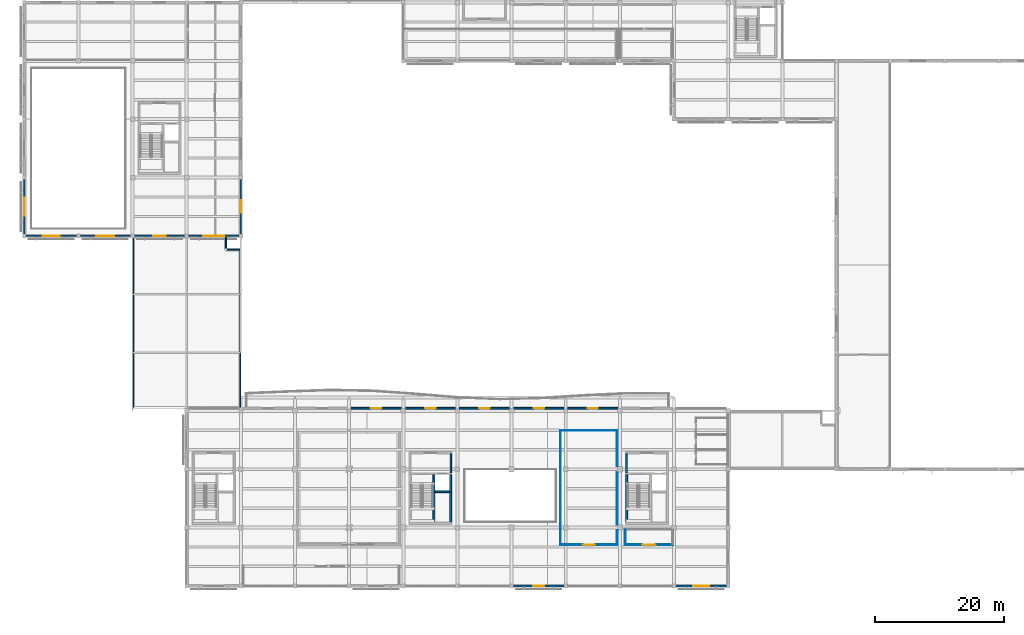
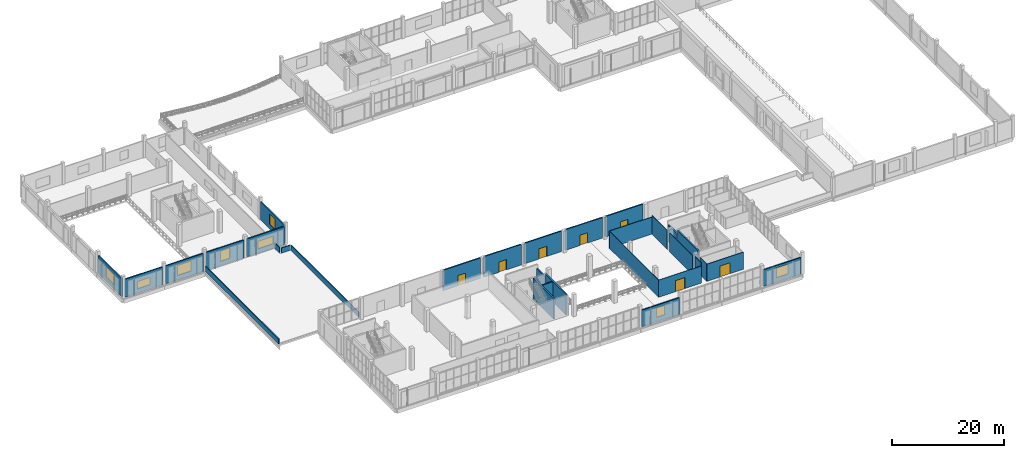
# One storey, part 57 of 80: 31 walls, 8 windows, 7 doors, 15 openings.
"""IFC4 building model written with IfcOpenShell, lengths in metres."""

from ifc_helpers import new_model, si_unit, direction, frame, frame_2d, origin, place, context, subcontext, project, spatial, rectangle, extrude, material, layer, layer_set, type_object, element, fill, save


model = new_model("IFC4")

# Units and contexts
model_context = context("Model", 3, precision=1e-05, world=origin(), true_north=direction((0.0, 1.0)))
body_context = subcontext(model_context, "Body", "Model", "MODEL_VIEW")
ifc_project = project(units=[si_unit("LENGTHUNIT", "METRE"), si_unit("AREAUNIT", "SQUARE_METRE"), si_unit("VOLUMEUNIT", "CUBIC_METRE"), si_unit("PLANEANGLEUNIT", "RADIAN"), si_unit("MASSUNIT", "GRAM", prefix="KILO")], contexts=[model_context])

# Site, building, storey
site_placement = place(None, origin())
site = spatial("IfcSite", under=ifc_project, at=site_placement, CompositionType="ELEMENT")
building_placement = place(site_placement, origin())
building = spatial("IfcBuilding", under=site, at=building_placement, Name="Khurvash Pelagic Aquarium", CompositionType="ELEMENT")
storey_placement = place(building_placement, frame((0.0, 0.0, 10.800048828125)))
storey = spatial("IfcBuildingStorey", under=building, at=storey_placement, Name="L02", CompositionType="ELEMENT", Elevation=10.800048828125)

# Wall, opening, window
ifc_material_1 = material(Name="Glass-fibre reinforced concrete C40/50", Category="concrete")
ifc_layer_1 = layer(ifc_material_1, 0.260009765625)
ifc_layer_set_1 = layer_set([ifc_layer_1], Name="Glass-fibre reinforced concrete C40/50")
wall_type_1 = type_object("IfcWallType", Name="EW-260", PredefinedType="STANDARD", material=ifc_layer_set_1)
wall_1_placement = place(storey_placement, frame((75.905029296875, 2.60009765625, 0.0), z_axis=(0.0, 0.0, 1.0), x_axis=(1.0, 0.0, 0.0)))
wall_1 = element("IfcWall", 1, at=wall_1_placement, inside=storey, type_object=wall_type_1, Name="L02 Exterior Architectural Facade Wall EW-260 0069", PredefinedType="STANDARD", context=body_context, shape_type="SweptSolid", body=[
    extrude(rectangle(XDim=7.7900390625, YDim=0.260009765625, at=frame_2d((3.89501953125, 0.0))), origin(), (0.0, 0.0, 1.0), 3.6298828125),
])
opening_1_placement = place(wall_1_placement, frame((3.054931640625, 0.0, 0.949951171875)))
opening_1 = element("IfcOpeningElement", 2, at=opening_1_placement, cuts=wall_1, Name="Opening WN-34", PredefinedType="OPENING", context=body_context, shape_type="SweptSolid", body=[
    extrude(rectangle(XDim=1.679931640625, YDim=2.080078125, at=frame_2d((0.83984375, 1.0400390625))), frame((0.0, 0.14013671875, 0.0), z_axis=(0.0, -1.0, 0.0), x_axis=(1.0, 0.0, 0.0)), (0.0, 0.0, 1.0), 0.280029296875),
])
ifc_material_2 = material(Name="Thermally broken aluminium and low-E glass", Category="aluminium")
window_type_1 = type_object("IfcWindowType", Name="WN-34", PartitioningType="SINGLE_PANEL", PredefinedType="WINDOW", material=ifc_material_2)
window_1_placement = place(opening_1_placement, origin())
window_1 = element("IfcWindow", 3, at=window_1_placement, inside=storey, type_object=window_type_1, Name="L02 Facade Window WN-34 0040", OverallHeight=2.080078125, OverallWidth=1.679931640625, PartitioningType="SINGLE_PANEL", PredefinedType="WINDOW", context=body_context, shape_type="SweptSolid", body=[
    extrude(rectangle(XDim=1.679931640625, YDim=2.080078125, at=frame_2d((0.83984375, 1.0400390625))), frame((0.0, 0.030029296875, 0.0), z_axis=(0.0, -1.0, 0.0), x_axis=(1.0, 0.0, 0.0)), (0.0, 0.0, 1.0), 0.06005859375),
])
fill(opening_1, window_1)

wall_2_placement = place(storey_placement, frame((101.10498046875, 2.60009765625, 0.0), z_axis=(0.0, 0.0, 1.0), x_axis=(1.0, 0.0, 0.0)))
wall_2 = element("IfcWall", 4, at=wall_2_placement, inside=storey, type_object=wall_type_1, Name="L02 Exterior Architectural Facade Wall EW-260 0070", PredefinedType="STANDARD", context=body_context, shape_type="SweptSolid", body=[
    extrude(rectangle(XDim=7.7900390625, YDim=0.260009765625, at=frame_2d((3.89501953125, 0.0))), origin(), (0.0, 0.0, 1.0), 3.6298828125),
])
opening_2_placement = place(wall_2_placement, frame((2.6650390625, 0.0, 0.949951171875)))
opening_2 = element("IfcOpeningElement", 5, at=opening_2_placement, cuts=wall_2, Name="Opening WN-38", PredefinedType="OPENING", context=body_context, shape_type="SweptSolid", body=[
    extrude(rectangle(XDim=2.4599609375, YDim=2.139892578125, at=frame_2d((1.22998046875, 1.06982421875))), frame((0.0, 0.14013671875, 0.0), z_axis=(0.0, -1.0, 0.0), x_axis=(1.0, 0.0, 0.0)), (0.0, 0.0, 1.0), 0.280029296875),
])
window_type_2 = type_object("IfcWindowType", Name="WN-38", PartitioningType="SINGLE_PANEL", PredefinedType="WINDOW", material=ifc_material_2)
window_2_placement = place(opening_2_placement, origin())
window_2 = element("IfcWindow", 6, at=window_2_placement, inside=storey, type_object=window_type_2, Name="L02 Facade Window WN-38 0041", OverallHeight=2.139892578125, OverallWidth=2.4599609375, PartitioningType="SINGLE_PANEL", PredefinedType="WINDOW", context=body_context, shape_type="SweptSolid", body=[
    extrude(rectangle(XDim=2.4599609375, YDim=2.139892578125, at=frame_2d((1.22998046875, 1.06982421875))), frame((0.0, 0.030029296875, 0.0), z_axis=(0.0, -1.0, 0.0), x_axis=(1.0, 0.0, 0.0)), (0.0, 0.0, 1.0), 0.06005859375),
])
fill(opening_2, window_2)

# Wall, opening, door
wall_3_placement = place(storey_placement, frame((92.044921875, 30.14990234375, 0.0), z_axis=(0.0, 0.0, 1.0), x_axis=(-1.0, 0.0, 0.0)))
wall_3 = element("IfcWall", 7, at=wall_3_placement, inside=storey, type_object=wall_type_1, Name="L02 Exterior Architectural Facade Wall EW-260 0073", PredefinedType="STANDARD", context=body_context, shape_type="SweptSolid", body=[
    extrude(rectangle(XDim=7.739990234375, YDim=0.260009765625, at=frame_2d((3.8701171875, 0.0))), origin(), (0.0, 0.0, 1.0), 4.5),
])
opening_3_placement = place(wall_3_placement, frame((3.070068359375, 0.0, 0.0)))
opening_3 = element("IfcOpeningElement", 8, at=opening_3_placement, cuts=wall_3, Name="Opening ED-03", PredefinedType="OPENING", context=body_context, shape_type="SweptSolid", body=[
    extrude(rectangle(XDim=1.60009765625, YDim=2.25, at=frame_2d((0.800048828125, 1.125))), frame((0.0, 0.14013671875, 0.0), z_axis=(0.0, -1.0, 0.0), x_axis=(1.0, 0.0, 0.0)), (0.0, 0.0, 1.0), 0.280029296875),
])
ifc_material_3 = material(Name="Thermally broken glazed aluminium", Category="aluminium")
door_type_1 = type_object("IfcDoorType", Name="ED-03", OperationType="DOUBLE_DOOR_SINGLE_SWING", PredefinedType="DOOR", material=ifc_material_3)
door_1_placement = place(opening_3_placement, frame((1.60009765625, 0.0, 0.0), z_axis=(0.0, 0.0, 1.0), x_axis=(-1.0, 0.0, 0.0)))
door_1 = element("IfcDoor", 9, at=door_1_placement, inside=storey, type_object=door_type_1, Name="DR-0145", OperationType="DOUBLE_DOOR_SINGLE_SWING", OverallHeight=2.25, OverallWidth=1.60009765625, PredefinedType="DOOR", context=body_context, shape_type="SweptSolid", body=[
    extrude(rectangle(XDim=1.60009765625, YDim=2.25, at=frame_2d((0.800048828125, 1.125))), frame((0.0, 0.02490234375, 0.0), z_axis=(0.0, -1.0, 0.0), x_axis=(1.0, 0.0, 0.0)), (0.0, 0.0, 1.0), 0.050048828125),
])
fill(opening_3, door_1)

wall_4_placement = place(storey_placement, frame((83.695068359375, 30.14990234375, 0.0), z_axis=(0.0, 0.0, 1.0), x_axis=(-1.0, 0.0, 0.0)))
wall_4 = element("IfcWall", 10, at=wall_4_placement, inside=storey, type_object=wall_type_1, Name="L02 Exterior Architectural Facade Wall EW-260 0074", PredefinedType="STANDARD", context=body_context, shape_type="SweptSolid", body=[
    extrude(rectangle(XDim=7.739990234375, YDim=0.260009765625, at=frame_2d((3.8701171875, 0.0))), origin(), (0.0, 0.0, 1.0), 4.5),
])
opening_4_placement = place(wall_4_placement, frame((3.070068359375, 0.0, 0.0)))
opening_4 = element("IfcOpeningElement", 11, at=opening_4_placement, cuts=wall_4, Name="Opening ED-03", PredefinedType="OPENING", context=body_context, shape_type="SweptSolid", body=[
    extrude(rectangle(XDim=1.60009765625, YDim=2.25, at=frame_2d((0.800048828125, 1.125))), frame((0.0, 0.14013671875, 0.0), z_axis=(0.0, -1.0, 0.0), x_axis=(1.0, 0.0, 0.0)), (0.0, 0.0, 1.0), 0.280029296875),
])
door_2_placement = place(opening_4_placement, frame((1.60009765625, 0.0, 0.0), z_axis=(0.0, 0.0, 1.0), x_axis=(-1.0, 0.0, 0.0)))
door_2 = element("IfcDoor", 12, at=door_2_placement, inside=storey, type_object=door_type_1, Name="DR-0146", OperationType="DOUBLE_DOOR_SINGLE_SWING", OverallHeight=2.25, OverallWidth=1.60009765625, PredefinedType="DOOR", context=body_context, shape_type="SweptSolid", body=[
    extrude(rectangle(XDim=1.60009765625, YDim=2.25, at=frame_2d((0.800048828125, 1.125))), frame((0.0, 0.02490234375, 0.0), z_axis=(0.0, -1.0, 0.0), x_axis=(1.0, 0.0, 0.0)), (0.0, 0.0, 1.0), 0.050048828125),
])
fill(opening_4, door_2)

wall_5_placement = place(storey_placement, frame((75.2451171875, 30.14990234375, 0.0), z_axis=(0.0, 0.0, 1.0), x_axis=(-1.0, 0.0, 0.0)))
wall_5 = element("IfcWall", 13, at=wall_5_placement, inside=storey, type_object=wall_type_1, Name="L02 Exterior Architectural Facade Wall EW-260 0075", PredefinedType="STANDARD", context=body_context, shape_type="SweptSolid", body=[
    extrude(rectangle(XDim=7.740234375, YDim=0.260009765625, at=frame_2d((3.8701171875, 0.0))), origin(), (0.0, 0.0, 1.0), 4.5),
])
opening_5_placement = place(wall_5_placement, frame((3.070068359375, 0.0, 0.0)))
opening_5 = element("IfcOpeningElement", 14, at=opening_5_placement, cuts=wall_5, Name="Opening ED-03", PredefinedType="OPENING", context=body_context, shape_type="SweptSolid", body=[
    extrude(rectangle(XDim=1.60009765625, YDim=2.25, at=frame_2d((0.800048828125, 1.125))), frame((0.0, 0.14013671875, 0.0), z_axis=(0.0, -1.0, 0.0), x_axis=(1.0, 0.0, 0.0)), (0.0, 0.0, 1.0), 0.280029296875),
])
door_3_placement = place(opening_5_placement, frame((1.60009765625, 0.0, 0.0), z_axis=(0.0, 0.0, 1.0), x_axis=(-1.0, 0.0, 0.0)))
door_3 = element("IfcDoor", 15, at=door_3_placement, inside=storey, type_object=door_type_1, Name="DR-0147", OperationType="DOUBLE_DOOR_SINGLE_SWING", OverallHeight=2.25, OverallWidth=1.60009765625, PredefinedType="DOOR", context=body_context, shape_type="SweptSolid", body=[
    extrude(rectangle(XDim=1.60009765625, YDim=2.25, at=frame_2d((0.800048828125, 1.125))), frame((0.0, 0.02490234375, 0.0), z_axis=(0.0, -1.0, 0.0), x_axis=(1.0, 0.0, 0.0)), (0.0, 0.0, 1.0), 0.050048828125),
])
fill(opening_5, door_3)

wall_6_placement = place(storey_placement, frame((66.89501953125, 30.14990234375, 0.0), z_axis=(0.0, 0.0, 1.0), x_axis=(-1.0, 0.0, 0.0)))
wall_6 = element("IfcWall", 16, at=wall_6_placement, inside=storey, type_object=wall_type_1, Name="L02 Exterior Architectural Facade Wall EW-260 0076", PredefinedType="STANDARD", context=body_context, shape_type="SweptSolid", body=[
    extrude(rectangle(XDim=7.739990234375, YDim=0.260009765625, at=frame_2d((3.8701171875, 0.0))), origin(), (0.0, 0.0, 1.0), 4.5),
])
opening_6_placement = place(wall_6_placement, frame((3.070068359375, 0.0, 0.0)))
opening_6 = element("IfcOpeningElement", 17, at=opening_6_placement, cuts=wall_6, Name="Opening ED-03", PredefinedType="OPENING", context=body_context, shape_type="SweptSolid", body=[
    extrude(rectangle(XDim=1.60009765625, YDim=2.25, at=frame_2d((0.800048828125, 1.125))), frame((0.0, 0.14013671875, 0.0), z_axis=(0.0, -1.0, 0.0), x_axis=(1.0, 0.0, 0.0)), (0.0, 0.0, 1.0), 0.280029296875),
])
door_4_placement = place(opening_6_placement, frame((1.60009765625, 0.0, 0.0), z_axis=(0.0, 0.0, 1.0), x_axis=(-1.0, 0.0, 0.0)))
door_4 = element("IfcDoor", 18, at=door_4_placement, inside=storey, type_object=door_type_1, Name="DR-0148", OperationType="DOUBLE_DOOR_SINGLE_SWING", OverallHeight=2.25, OverallWidth=1.60009765625, PredefinedType="DOOR", context=body_context, shape_type="SweptSolid", body=[
    extrude(rectangle(XDim=1.60009765625, YDim=2.25, at=frame_2d((0.800048828125, 1.125))), frame((0.0, 0.02490234375, 0.0), z_axis=(0.0, -1.0, 0.0), x_axis=(1.0, 0.0, 0.0)), (0.0, 0.0, 1.0), 0.050048828125),
])
fill(opening_6, door_4)

wall_7_placement = place(storey_placement, frame((58.445068359375, 30.14990234375, 0.0), z_axis=(0.0, 0.0, 1.0), x_axis=(-1.0, 0.0, 0.0)))
wall_7 = element("IfcWall", 19, at=wall_7_placement, inside=storey, type_object=wall_type_1, Name="L02 Exterior Architectural Facade Wall EW-260 0077", PredefinedType="STANDARD", context=body_context, shape_type="SweptSolid", body=[
    extrude(rectangle(XDim=7.739990234375, YDim=0.260009765625, at=frame_2d((3.8701171875, 0.0))), origin(), (0.0, 0.0, 1.0), 4.5),
])
opening_7_placement = place(wall_7_placement, frame((3.070068359375, 0.0, 0.0)))
opening_7 = element("IfcOpeningElement", 20, at=opening_7_placement, cuts=wall_7, Name="Opening ED-03", PredefinedType="OPENING", context=body_context, shape_type="SweptSolid", body=[
    extrude(rectangle(XDim=1.60009765625, YDim=2.25, at=frame_2d((0.800048828125, 1.125))), frame((0.0, 0.14013671875, 0.0), z_axis=(0.0, -1.0, 0.0), x_axis=(1.0, 0.0, 0.0)), (0.0, 0.0, 1.0), 0.280029296875),
])
door_5_placement = place(opening_7_placement, frame((1.60009765625, 0.0, 0.0), z_axis=(0.0, 0.0, 1.0), x_axis=(-1.0, 0.0, 0.0)))
door_5 = element("IfcDoor", 21, at=door_5_placement, inside=storey, type_object=door_type_1, Name="DR-0149", OperationType="DOUBLE_DOOR_SINGLE_SWING", OverallHeight=2.25, OverallWidth=1.60009765625, PredefinedType="DOOR", context=body_context, shape_type="SweptSolid", body=[
    extrude(rectangle(XDim=1.60009765625, YDim=2.25, at=frame_2d((0.800048828125, 1.125))), frame((0.0, 0.02490234375, 0.0), z_axis=(0.0, -1.0, 0.0), x_axis=(1.0, 0.0, 0.0)), (0.0, 0.0, 1.0), 0.050048828125),
])
fill(opening_7, door_5)

# Wall, opening, window
wall_8_placement = place(storey_placement, frame((0.0, 65.64501953125, 0.0), z_axis=(0.0, 0.0, 1.0), x_axis=(0.0, -1.0, 0.0)))
wall_8 = element("IfcWall", 22, at=wall_8_placement, inside=storey, type_object=wall_type_1, Name="L02 Exterior Architectural Facade Wall EW-260 0094", PredefinedType="STANDARD", context=body_context, shape_type="SweptSolid", body=[
    extrude(rectangle(XDim=8.43994140625, YDim=0.260009765625, at=frame_2d((4.219970703125, 0.0))), origin(), (0.0, 0.0, 1.0), 3.930908203125),
])
opening_8_placement = place(wall_8_placement, frame((2.820068359375, 0.0, 0.949951171875)))
opening_8 = element("IfcOpeningElement", 23, at=opening_8_placement, cuts=wall_8, Name="Opening WN-14", PredefinedType="OPENING", context=body_context, shape_type="SweptSolid", body=[
    extrude(rectangle(XDim=2.800048828125, YDim=2.199951171875, at=frame_2d((1.39990234375, 1.10009765625))), frame((0.0, 0.14013671875, 0.0), z_axis=(0.0, -1.0, 0.0), x_axis=(1.0, 0.0, 0.0)), (0.0, 0.0, 1.0), 0.280029296875),
])
window_type_3 = type_object("IfcWindowType", Name="WN-14", PartitioningType="SINGLE_PANEL", PredefinedType="WINDOW", material=ifc_material_2)
window_3_placement = place(opening_8_placement, origin())
window_3 = element("IfcWindow", 24, at=window_3_placement, inside=storey, type_object=window_type_3, Name="L02 Facade Window WN-14 0056", OverallHeight=2.199951171875, OverallWidth=2.800048828125, PartitioningType="SINGLE_PANEL", PredefinedType="WINDOW", context=body_context, shape_type="SweptSolid", body=[
    extrude(rectangle(XDim=2.800048828125, YDim=2.199951171875, at=frame_2d((1.39990234375, 1.10009765625))), frame((0.0, 0.030029296875, 0.0), z_axis=(0.0, -1.0, 0.0), x_axis=(1.0, 0.0, 0.0)), (0.0, 0.0, 1.0), 0.06005859375),
])
fill(opening_8, window_3)

wall_9_placement = place(storey_placement, frame((0.304931640625, 56.89990234375, 0.0), z_axis=(0.0, 0.0, 1.0), x_axis=(1.0, 0.0, 0.0)))
wall_9 = element("IfcWall", 25, at=wall_9_placement, inside=storey, type_object=wall_type_1, Name="L02 Exterior Architectural Facade Wall EW-260 0095", PredefinedType="STANDARD", context=body_context, shape_type="SweptSolid", body=[
    extrude(rectangle(XDim=7.7900390625, YDim=0.260009765625, at=frame_2d((3.89501953125, 0.0))), origin(), (0.0, 0.0, 1.0), 3.930908203125),
])
opening_9_placement = place(wall_9_placement, frame((2.594970703125, 0.0, 0.949951171875)))
opening_9 = element("IfcOpeningElement", 26, at=opening_9_placement, cuts=wall_9, Name="Opening WN-12", PredefinedType="OPENING", context=body_context, shape_type="SweptSolid", body=[
    extrude(rectangle(XDim=2.60009765625, YDim=1.60009765625, at=frame_2d((1.300048828125, 0.800048828125))), frame((0.0, 0.14013671875, 0.0), z_axis=(0.0, -1.0, 0.0), x_axis=(1.0, 0.0, 0.0)), (0.0, 0.0, 1.0), 0.280029296875),
])
window_type_4 = type_object("IfcWindowType", Name="WN-12", PartitioningType="SINGLE_PANEL", PredefinedType="WINDOW", material=ifc_material_2)
window_4_placement = place(opening_9_placement, origin())
window_4 = element("IfcWindow", 27, at=window_4_placement, inside=storey, type_object=window_type_4, Name="L02 Facade Window WN-12 0057", OverallHeight=1.60009765625, OverallWidth=2.60009765625, PartitioningType="SINGLE_PANEL", PredefinedType="WINDOW", context=body_context, shape_type="SweptSolid", body=[
    extrude(rectangle(XDim=2.60009765625, YDim=1.60009765625, at=frame_2d((1.300048828125, 0.800048828125))), frame((0.0, 0.030029296875, 0.0), z_axis=(0.0, -1.0, 0.0), x_axis=(1.0, 0.0, 0.0)), (0.0, 0.0, 1.0), 0.06005859375),
])
fill(opening_9, window_4)

wall_10_placement = place(storey_placement, frame((8.705078125, 56.89990234375, 0.0), z_axis=(0.0, 0.0, 1.0), x_axis=(1.0, 0.0, 0.0)))
wall_10 = element("IfcWall", 28, at=wall_10_placement, inside=storey, type_object=wall_type_1, Name="L02 Exterior Architectural Facade Wall EW-260 0096", PredefinedType="STANDARD", context=body_context, shape_type="SweptSolid", body=[
    extrude(rectangle(XDim=7.7900390625, YDim=0.260009765625, at=frame_2d((3.89501953125, 0.0))), origin(), (0.0, 0.0, 1.0), 3.930908203125),
])
opening_10_placement = place(wall_10_placement, frame((2.4951171875, 0.0, 0.949951171875)))
opening_10 = element("IfcOpeningElement", 29, at=opening_10_placement, cuts=wall_10, Name="Opening WN-14", PredefinedType="OPENING", context=body_context, shape_type="SweptSolid", body=[
    extrude(rectangle(XDim=2.800048828125, YDim=2.199951171875, at=frame_2d((1.39990234375, 1.10009765625))), frame((0.0, 0.14013671875, 0.0), z_axis=(0.0, -1.0, 0.0), x_axis=(1.0, 0.0, 0.0)), (0.0, 0.0, 1.0), 0.280029296875),
])
window_5_placement = place(opening_10_placement, origin())
window_5 = element("IfcWindow", 30, at=window_5_placement, inside=storey, type_object=window_type_3, Name="L02 Facade Window WN-14 0058", OverallHeight=2.199951171875, OverallWidth=2.800048828125, PartitioningType="SINGLE_PANEL", PredefinedType="WINDOW", context=body_context, shape_type="SweptSolid", body=[
    extrude(rectangle(XDim=2.800048828125, YDim=2.199951171875, at=frame_2d((1.39990234375, 1.10009765625))), frame((0.0, 0.030029296875, 0.0), z_axis=(0.0, -1.0, 0.0), x_axis=(1.0, 0.0, 0.0)), (0.0, 0.0, 1.0), 0.06005859375),
])
fill(opening_10, window_5)

wall_11_placement = place(storey_placement, frame((17.10498046875, 56.89990234375, 0.0), z_axis=(0.0, 0.0, 1.0), x_axis=(1.0, 0.0, 0.0)))
wall_11 = element("IfcWall", 31, at=wall_11_placement, inside=storey, type_object=wall_type_1, Name="L02 Exterior Architectural Facade Wall EW-260 0097", PredefinedType="STANDARD", context=body_context, shape_type="SweptSolid", body=[
    extrude(rectangle(XDim=7.7900390625, YDim=0.260009765625, at=frame_2d((3.89501953125, 0.0))), origin(), (0.0, 0.0, 1.0), 3.930908203125),
])
opening_11_placement = place(wall_11_placement, frame((2.919921875, 0.0, 0.949951171875)))
opening_11 = element("IfcOpeningElement", 32, at=opening_11_placement, cuts=wall_11, Name="Opening WN-16", PredefinedType="OPENING", context=body_context, shape_type="SweptSolid", body=[
    extrude(rectangle(XDim=1.949951171875, YDim=2.25, at=frame_2d((0.97509765625, 1.125))), frame((0.0, 0.14013671875, 0.0), z_axis=(0.0, -1.0, 0.0), x_axis=(1.0, 0.0, 0.0)), (0.0, 0.0, 1.0), 0.280029296875),
])
window_type_5 = type_object("IfcWindowType", Name="WN-16", PartitioningType="SINGLE_PANEL", PredefinedType="WINDOW", material=ifc_material_2)
window_6_placement = place(opening_11_placement, origin())
window_6 = element("IfcWindow", 33, at=window_6_placement, inside=storey, type_object=window_type_5, Name="L02 Facade Window WN-16 0059", OverallHeight=2.25, OverallWidth=1.949951171875, PartitioningType="SINGLE_PANEL", PredefinedType="WINDOW", context=body_context, shape_type="SweptSolid", body=[
    extrude(rectangle(XDim=1.949951171875, YDim=2.25, at=frame_2d((0.97509765625, 1.125))), frame((0.0, 0.030029296875, 0.0), z_axis=(0.0, -1.0, 0.0), x_axis=(1.0, 0.0, 0.0)), (0.0, 0.0, 1.0), 0.06005859375),
])
fill(opening_11, window_6)

wall_12_placement = place(storey_placement, frame((25.5048828125, 56.89990234375, 0.0), z_axis=(0.0, 0.0, 1.0), x_axis=(1.0, 0.0, 0.0)))
wall_12 = element("IfcWall", 34, at=wall_12_placement, inside=storey, type_object=wall_type_1, Name="L02 Exterior Architectural Facade Wall EW-260 0098", PredefinedType="STANDARD", context=body_context, shape_type="SweptSolid", body=[
    extrude(rectangle(XDim=7.7900390625, YDim=0.260009765625, at=frame_2d((3.89501953125, 0.0))), origin(), (0.0, 0.0, 1.0), 3.930908203125),
])
opening_12_placement = place(wall_12_placement, frame((2.294921875, 0.0, 0.949951171875)))
opening_12 = element("IfcOpeningElement", 35, at=opening_12_placement, cuts=wall_12, Name="Opening WN-18", PredefinedType="OPENING", context=body_context, shape_type="SweptSolid", body=[
    extrude(rectangle(XDim=3.199951171875, YDim=1.64990234375, at=frame_2d((1.60009765625, 0.824951171875))), frame((0.0, 0.14013671875, 0.0), z_axis=(0.0, -1.0, 0.0), x_axis=(1.0, 0.0, 0.0)), (0.0, 0.0, 1.0), 0.280029296875),
])
window_type_6 = type_object("IfcWindowType", Name="WN-18", PartitioningType="SINGLE_PANEL", PredefinedType="WINDOW", material=ifc_material_2)
window_7_placement = place(opening_12_placement, origin())
window_7 = element("IfcWindow", 36, at=window_7_placement, inside=storey, type_object=window_type_6, Name="L02 Facade Window WN-18 0060", OverallHeight=1.64990234375, OverallWidth=3.199951171875, PartitioningType="SINGLE_PANEL", PredefinedType="WINDOW", context=body_context, shape_type="SweptSolid", body=[
    extrude(rectangle(XDim=3.199951171875, YDim=1.64990234375, at=frame_2d((1.60009765625, 0.824951171875))), frame((0.0, 0.030029296875, 0.0), z_axis=(0.0, -1.0, 0.0), x_axis=(1.0, 0.0, 0.0)), (0.0, 0.0, 1.0), 0.06005859375),
])
fill(opening_12, window_7)

wall_13_placement = place(storey_placement, frame((33.60009765625, 57.205078125, 0.0), z_axis=(0.0, 0.0, 1.0), x_axis=(0.0, 1.0, 0.0)))
wall_13 = element("IfcWall", 37, at=wall_13_placement, inside=storey, type_object=wall_type_1, Name="L02 Exterior Architectural Facade Wall EW-260 0099", PredefinedType="STANDARD", context=body_context, shape_type="SweptSolid", body=[
    extrude(rectangle(XDim=8.43994140625, YDim=0.260009765625, at=frame_2d((4.219970703125, 0.0))), origin(), (0.0, 0.0, 1.0), 3.930908203125),
])
opening_13_placement = place(wall_13_placement, frame((3.2451171875, 0.0, 0.949951171875)))
opening_13 = element("IfcOpeningElement", 38, at=opening_13_placement, cuts=wall_13, Name="Opening WN-16", PredefinedType="OPENING", context=body_context, shape_type="SweptSolid", body=[
    extrude(rectangle(XDim=1.949951171875, YDim=2.25, at=frame_2d((0.97509765625, 1.125))), frame((0.0, 0.14013671875, 0.0), z_axis=(0.0, -1.0, 0.0), x_axis=(1.0, 0.0, 0.0)), (0.0, 0.0, 1.0), 0.280029296875),
])
window_8_placement = place(opening_13_placement, origin())
window_8 = element("IfcWindow", 39, at=window_8_placement, inside=storey, type_object=window_type_5, Name="L02 Facade Window WN-16 0061", OverallHeight=2.25, OverallWidth=1.949951171875, PartitioningType="SINGLE_PANEL", PredefinedType="WINDOW", context=body_context, shape_type="SweptSolid", body=[
    extrude(rectangle(XDim=1.949951171875, YDim=2.25, at=frame_2d((0.97509765625, 1.125))), frame((0.0, 0.030029296875, 0.0), z_axis=(0.0, -1.0, 0.0), x_axis=(1.0, 0.0, 0.0)), (0.0, 0.0, 1.0), 0.06005859375),
])
fill(opening_13, window_8)

# Walls
ifc_material_4 = material(Name="Precast concrete C40/50", Category="concrete")
ifc_layer_2 = layer(ifc_material_4, 0.179931640625)
ifc_layer_set_2 = layer_set([ifc_layer_2], Name="Precast concrete C40/50")
wall_type_2 = type_object("IfcWallType", Name="PP-180", PredefinedType="PARAPET", material=ifc_layer_set_2)
wall_14_placement = place(storey_placement, frame((16.89990234375, 30.35009765625, 0.0), z_axis=(0.0, 0.0, 1.0), x_axis=(0.0, 1.0, 0.0)))
element("IfcWall", 40, at=wall_14_placement, inside=storey, type_object=wall_type_2, Name="L02 Roof Perimeter Parapet Wall PP-180", PredefinedType="PARAPET", context=body_context, shape_type="SweptSolid", body=[
    extrude(rectangle(XDim=26.349853515625, YDim=0.179931640625, at=frame_2d((13.1748046875, 0.0))), origin(), (0.0, 0.0, 1.0), 1.119873046875),
])
wall_15_placement = place(storey_placement, frame((31.300048828125, 56.699951171875, 0.0), z_axis=(0.0, 0.0, 1.0), x_axis=(0.0, -1.0, 0.0)))
element("IfcWall", 41, at=wall_15_placement, inside=storey, type_object=wall_type_2, Name="L02 Roof Perimeter Parapet Wall PP-180", PredefinedType="PARAPET", context=body_context, shape_type="SweptSolid", body=[
    extrude(rectangle(XDim=1.699951171875, YDim=0.179931640625, at=frame_2d((0.85009765625, 0.0))), origin(), (0.0, 0.0, 1.0), 1.119873046875),
])
wall_16_placement = place(storey_placement, frame((31.5, 54.800048828125, 0.0), z_axis=(0.0, 0.0, 1.0), x_axis=(1.0, 0.0, 0.0)))
element("IfcWall", 42, at=wall_16_placement, inside=storey, type_object=wall_type_2, Name="L02 Roof Perimeter Parapet Wall PP-180", PredefinedType="PARAPET", context=body_context, shape_type="SweptSolid", body=[
    extrude(rectangle(XDim=1.89990234375, YDim=0.179931640625, at=frame_2d((0.949951171875, 0.0))), origin(), (0.0, 0.0, 1.0), 1.119873046875),
])
wall_17_placement = place(storey_placement, frame((33.5, 54.699951171875, 0.0), z_axis=(0.0, 0.0, 1.0), x_axis=(0.0, -1.0, 0.0)))
element("IfcWall", 43, at=wall_17_placement, inside=storey, type_object=wall_type_2, Name="L02 Roof Perimeter Parapet Wall PP-180", PredefinedType="PARAPET", context=body_context, shape_type="SweptSolid", body=[
    extrude(rectangle(XDim=24.349853515625, YDim=0.179931640625, at=frame_2d((12.1748046875, 0.0))), origin(), (0.0, 0.0, 1.0), 1.119873046875),
])

# Wall, opening, door
ifc_material_5 = material(Name="Ceramic-tiled wet-room partition", Category="masonry")
ifc_layer_3 = layer(ifc_material_5, 0.110107421875)
ifc_layer_set_3 = layer_set([ifc_layer_3], Name="Ceramic-tiled wet-room partition")
wall_type_3 = type_object("IfcWallType", Name="PW-110", PredefinedType="PARTITIONING", material=ifc_layer_set_3)
wall_18_placement = place(storey_placement, frame((83.14501953125, 9.0, 0.0), z_axis=(0.0, 0.0, 1.0), x_axis=(1.0, 0.0, 0.0)))
wall_18 = element("IfcWall", 44, at=wall_18_placement, inside=storey, type_object=wall_type_3, Name="L02 Floodplain Monsoon Fishes Gallery Partition Wall PW-110", PredefinedType="PARTITIONING", context=body_context, shape_type="SweptSolid", body=[
    extrude(rectangle(XDim=8.909912109375, YDim=0.110107421875, at=frame_2d((4.455078125, 0.0))), origin(), (0.0, 0.0, 1.0), 3.75),
])
opening_14_placement = place(wall_18_placement, frame((3.4951171875, 0.0, 0.0)))
opening_14 = element("IfcOpeningElement", 45, at=opening_14_placement, cuts=wall_18, Name="Opening ID-19", PredefinedType="OPENING", context=body_context, shape_type="SweptSolid", body=[
    extrude(rectangle(XDim=1.919921875, YDim=2.39990234375, at=frame_2d((0.9599609375, 1.199951171875))), frame((0.0, 0.06494140625, 0.0), z_axis=(0.0, -1.0, 0.0), x_axis=(1.0, 0.0, 0.0)), (0.0, 0.0, 1.0), 0.130126953125),
])
ifc_material_6 = material(Name="Entrance foyer double door", Category="wood")
door_type_2 = type_object("IfcDoorType", Name="ID-19", OperationType="DOUBLE_DOOR_SINGLE_SWING", PredefinedType="DOOR", material=ifc_material_6)
door_6_placement = place(opening_14_placement, origin())
door_6 = element("IfcDoor", 46, at=door_6_placement, inside=storey, type_object=door_type_2, Name="DR-0158", OperationType="DOUBLE_DOOR_SINGLE_SWING", OverallHeight=2.39990234375, OverallWidth=1.919921875, PredefinedType="DOOR", context=body_context, shape_type="SweptSolid", body=[
    extrude(rectangle(XDim=1.919921875, YDim=2.39990234375, at=frame_2d((0.9599609375, 1.199951171875))), frame((0.0, 0.02490234375, 0.0), z_axis=(0.0, -1.0, 0.0), x_axis=(1.0, 0.0, 0.0)), (0.0, 0.0, 1.0), 0.050048828125),
])
fill(opening_14, door_6)

# Walls
wall_19_placement = place(storey_placement, frame((83.14501953125, 26.699951171875, 0.0), z_axis=(0.0, 0.0, 1.0), x_axis=(1.0, 0.0, 0.0)))
element("IfcWall", 47, at=wall_19_placement, inside=storey, type_object=wall_type_3, Name="L02 Floodplain Monsoon Fishes Gallery Partition Wall PW-110", PredefinedType="PARTITIONING", context=body_context, shape_type="SweptSolid", body=[
    extrude(rectangle(XDim=8.909912109375, YDim=0.110107421875, at=frame_2d((4.455078125, 0.0))), origin(), (0.0, 0.0, 1.0), 3.75),
])
wall_20_placement = place(storey_placement, frame((92.0, 9.054931640625, 0.0), z_axis=(0.0, 0.0, 1.0), x_axis=(0.0, 1.0, 0.0)))
element("IfcWall", 48, at=wall_20_placement, inside=storey, type_object=wall_type_3, Name="L02 Floodplain Monsoon Fishes Gallery Partition Wall PW-110", PredefinedType="PARTITIONING", context=body_context, shape_type="SweptSolid", body=[
    extrude(rectangle(XDim=2.155029296875, YDim=0.110107421875, at=frame_2d((1.07763671875, 0.0))), origin(), (0.0, 0.0, 1.0), 4.5),
])
wall_21_placement = place(storey_placement, frame((92.0, 12.090087890625, 0.0), z_axis=(0.0, 0.0, 1.0), x_axis=(0.0, 1.0, 0.0)))
element("IfcWall", 49, at=wall_21_placement, inside=storey, type_object=wall_type_3, Name="L02 Floodplain Monsoon Fishes Gallery Partition Wall PW-110", PredefinedType="PARTITIONING", context=body_context, shape_type="SweptSolid", body=[
    extrude(rectangle(XDim=8.169921875, YDim=0.110107421875, at=frame_2d((4.0849609375, 0.0))), origin(), (0.0, 0.0, 1.0), 4.139892578125),
])
wall_22_placement = place(storey_placement, frame((92.0, 21.139892578125, 0.0), z_axis=(0.0, 0.0, 1.0), x_axis=(0.0, 1.0, 0.0)))
element("IfcWall", 50, at=wall_22_placement, inside=storey, type_object=wall_type_3, Name="L02 Floodplain Monsoon Fishes Gallery Partition Wall PW-110", PredefinedType="PARTITIONING", context=body_context, shape_type="SweptSolid", body=[
    extrude(rectangle(XDim=5.505126953125, YDim=0.110107421875, at=frame_2d((2.75244140625, 0.0))), origin(), (0.0, 0.0, 1.0), 4.139892578125),
])
wall_23_placement = place(storey_placement, frame((83.199951171875, 9.054931640625, 0.0), z_axis=(0.0, 0.0, 1.0), x_axis=(0.0, 1.0, 0.0)))
element("IfcWall", 51, at=wall_23_placement, inside=storey, type_object=wall_type_3, Name="L02 Floodplain Monsoon Fishes Gallery Partition Wall PW-110", PredefinedType="PARTITIONING", context=body_context, shape_type="SweptSolid", body=[
    extrude(rectangle(XDim=17.590087890625, YDim=0.110107421875, at=frame_2d((8.794921875, 0.0))), origin(), (0.0, 0.0, 1.0), 3.72998046875),
])

# Wall, opening, door
ifc_material_7 = material(Name="Moisture-resistant gypsum and steel stud", Category="steel")
ifc_layer_4 = layer(ifc_material_7, 0.139892578125)
ifc_layer_set_4 = layer_set([ifc_layer_4], Name="Moisture-resistant gypsum and steel stud")
wall_type_4 = type_object("IfcWallType", Name="PW-140", PredefinedType="PARTITIONING", material=ifc_layer_set_4)
wall_24_placement = place(storey_placement, frame((93.1298828125, 9.0, 0.0), z_axis=(0.0, 0.0, 1.0), x_axis=(1.0, 0.0, 0.0)))
wall_24 = element("IfcWall", 52, at=wall_24_placement, inside=storey, type_object=wall_type_4, Name="L02 Amphibian Vivarium Gallery Partition Wall PW-140", PredefinedType="PARTITIONING", context=body_context, shape_type="SweptSolid", body=[
    extrude(rectangle(XDim=7.5400390625, YDim=0.139892578125, at=frame_2d((3.77001953125, 0.0))), origin(), (0.0, 0.0, 1.0), 3.75),
])
opening_15_placement = place(wall_24_placement, frame((2.75, 0.0, 0.0)))
opening_15 = element("IfcOpeningElement", 53, at=opening_15_placement, cuts=wall_24, Name="Opening ID-20", PredefinedType="OPENING", context=body_context, shape_type="SweptSolid", body=[
    extrude(rectangle(XDim=2.0400390625, YDim=2.39990234375, at=frame_2d((1.02001953125, 1.199951171875))), frame((0.0, 0.080078125, 0.0), z_axis=(0.0, -1.0, 0.0), x_axis=(1.0, 0.0, 0.0)), (0.0, 0.0, 1.0), 0.159912109375),
])
ifc_material_8 = material(Name="Cafeteria courtyard hall double door", Category="wood")
door_type_3 = type_object("IfcDoorType", Name="ID-20", OperationType="DOUBLE_DOOR_SINGLE_SWING", PredefinedType="DOOR", material=ifc_material_8)
door_7_placement = place(opening_15_placement, origin())
door_7 = element("IfcDoor", 54, at=door_7_placement, inside=storey, type_object=door_type_3, Name="DR-0159", OperationType="DOUBLE_DOOR_SINGLE_SWING", OverallHeight=2.39990234375, OverallWidth=2.0400390625, PredefinedType="DOOR", context=body_context, shape_type="SweptSolid", body=[
    extrude(rectangle(XDim=2.0400390625, YDim=2.39990234375, at=frame_2d((1.02001953125, 1.199951171875))), frame((0.0, 0.02490234375, 0.0), z_axis=(0.0, -1.0, 0.0), x_axis=(1.0, 0.0, 0.0)), (0.0, 0.0, 1.0), 0.050048828125),
])
fill(opening_15, door_7)

# Walls
wall_25_placement = place(storey_placement, frame((93.199951171875, 9.070068359375, 0.0), z_axis=(0.0, 0.0, 1.0), x_axis=(0.0, 1.0, 0.0)))
element("IfcWall", 55, at=wall_25_placement, inside=storey, type_object=wall_type_4, Name="L02 Amphibian Vivarium Gallery Partition Wall PW-140", PredefinedType="PARTITIONING", context=body_context, shape_type="SweptSolid", body=[
    extrude(rectangle(XDim=2.260009765625, YDim=0.139892578125, at=frame_2d((1.1298828125, 0.0))), origin(), (0.0, 0.0, 1.0), 3.72998046875),
])
ifc_material_9 = material(Name="AAC blockwork", Category="masonry")
ifc_layer_5 = layer(ifc_material_9, 0.25)
ifc_layer_set_5 = layer_set([ifc_layer_5], Name="AAC blockwork")
wall_type_5 = type_object("IfcWallType", Name="PW-250", PredefinedType="PARTITIONING", material=ifc_layer_set_5)
for number, where, z_axis, x_axis, name in (
    (56, (66.175048828125, 20.14990234375, 0.0), (0.0, 0.0, 1.0), (0.0, 1.0, 0.0), "L02 Core C2 Lobby East Fire Wall PW-250"),
    (57, (93.425048828125, 20.14990234375, 0.0), (0.0, 0.0, 1.0), (0.0, 1.0, 0.0), "L02 Core C3 Lobby West Fire Wall PW-250"),
):
    element("IfcWall", number, at=place(storey_placement, frame(where, z_axis=z_axis, x_axis=x_axis)), inside=storey, type_object=wall_type_5, Name=name, PredefinedType="PARTITIONING", context=body_context, shape_type="SweptSolid", body=[
        extrude(rectangle(XDim=2.9501953125, YDim=0.25, at=frame_2d((1.47509765625, 0.0))), origin(), (0.0, 0.0, 1.0), 3.72998046875),
    ])
ifc_material_10 = material(Name="Concrete C40/50", Category="concrete")
ifc_layer_6 = layer(ifc_material_10, 0.27490234375)
ifc_layer_set_6 = layer_set([ifc_layer_6], Name="Concrete C40/50")
wall_type_6 = type_object("IfcWallType", Name="SW-275", PredefinedType="SHEAR", material=ifc_layer_set_6)
wall_26_placement = place(storey_placement, frame((63.699951171875, 17.212890625, 0.0), z_axis=(0.0, 0.0, 1.0), x_axis=(1.0, 0.0, 0.0)))
element("IfcWall", 58, at=wall_26_placement, inside=storey, type_object=wall_type_6, Name="L02 Lift PL-01 Shaft Rear Shear Wall SW-275", PredefinedType="SHEAR", context=body_context, shape_type="SweptSolid", body=[
    extrude(rectangle(XDim=2.300048828125, YDim=0.27490234375, at=frame_2d((1.14990234375, 0.0))), origin(), (0.0, 0.0, 1.0), 4.5),
])
ifc_layer_7 = layer(ifc_material_10, 0.300048828125)
ifc_layer_set_7 = layer_set([ifc_layer_7], Name="Concrete C40/50")
wall_type_7 = type_object("IfcWallType", Name="SW-300", PredefinedType="SHEAR", material=ifc_layer_set_7)
for number, where, z_axis, x_axis, name in (
    (59, (66.14990234375, 12.449951171875, 0.0), (0.0, 0.0, 1.0), (0.0, 1.0, 0.0), "L02 Core C2 East Shear Wall SW-300"),
    (60, (63.550048828125, 12.449951171875, 0.0), (0.0, 0.0, 1.0), (0.0, 1.0, 0.0), "L02 Core C2 Divider Shear Wall SW-300"),
    (61, (93.449951171875, 12.449951171875, 0.0), (0.0, 0.0, 1.0), (0.0, 1.0, 0.0), "L02 Core C3 West Shear Wall SW-300"),
):
    element("IfcWall", number, at=place(storey_placement, frame(where, z_axis=z_axis, x_axis=x_axis)), inside=storey, type_object=wall_type_7, Name=name, PredefinedType="SHEAR", context=body_context, shape_type="SweptSolid", body=[
        extrude(rectangle(XDim=7.400146484375, YDim=0.300048828125, at=frame_2d((3.7001953125, 0.0))), origin(), (0.0, 0.0, 1.0), 4.5),
    ])

save(model, "model.ifc")
